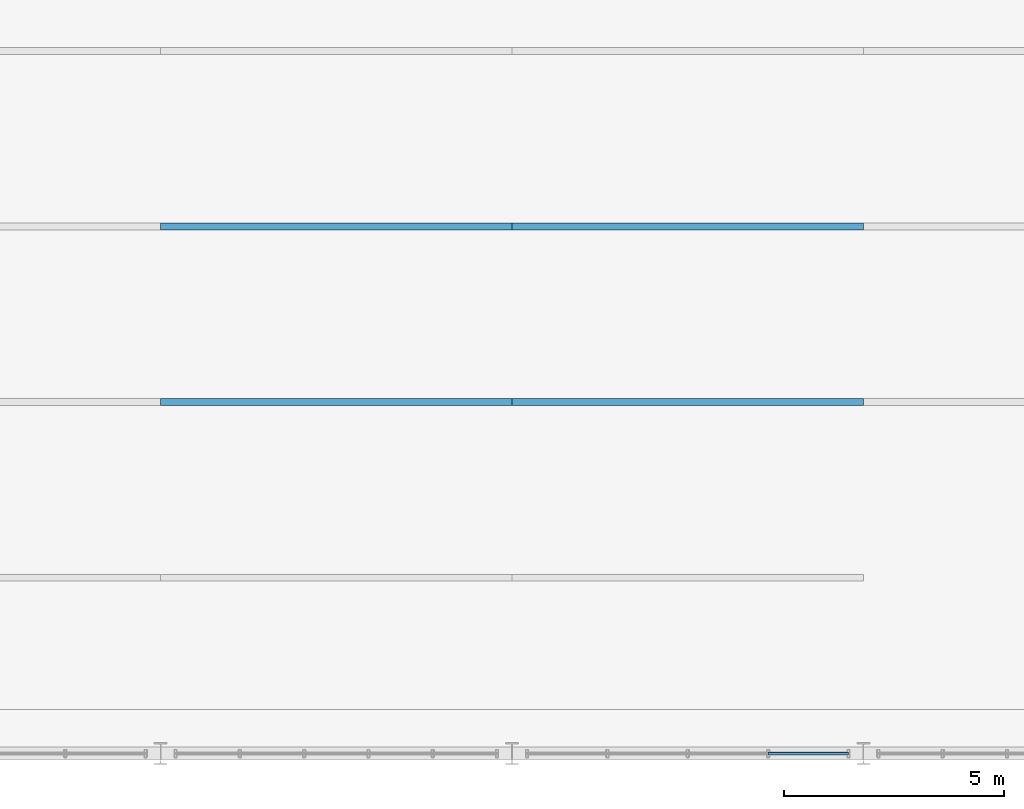
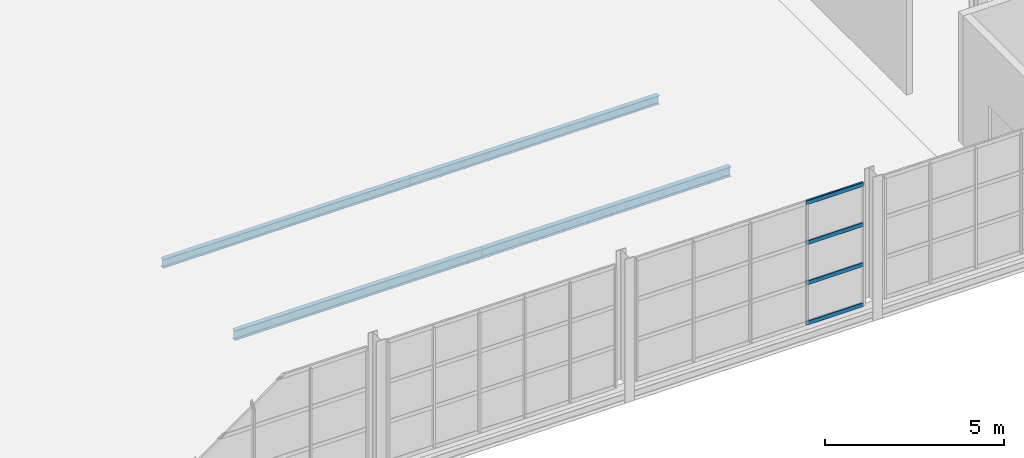
# One storey, part 105 of 153: 4 beams, 4 members, 1 element without a shape of its own.
"""IFC4 building model written with IfcOpenShell, lengths in metres."""

import ifcopenshell
import ifcopenshell.guid

model = None  # the IFC model being written
_history = None  # IfcOwnerHistory: only IFC2X3 demands one
_inside = {}  # id of a spatial element -> (the spatial element, [elements in it])
_under = {}  # id of a project, library or spatial element -> (it, [spatial elements below it])
_declared = {}  # id of a project -> (the project, [libraries it declares])
_typed = {}  # id of a type object -> (the type object, [elements of that type])
_made_of = {}  # id of a material, layer set ... -> (it, [elements and type objects made of it])


def new_model(schema):
    """Start an empty IFC model of exactly this schema.

    Asked for "IFC4X3", IfcOpenShell would pick the latest addendum, in which some entities
    have other attributes; the version numbers below select the first issue.
    IFC2X3 requires an IfcOwnerHistory on every rooted entity: one is made here for all.
    """
    global model, _history
    if schema == "IFC4X3":
        model = ifcopenshell.file(schema_version=(4, 3, 0, 0))
    else:
        model = ifcopenshell.file(schema=schema)
    _inside.clear()
    _under.clear()
    _declared.clear()
    _typed.clear()
    _made_of.clear()
    _history = None
    if model.schema == "IFC2X3":
        org = make("IfcOrganization", Name="unknown")
        user = make(
            "IfcPersonAndOrganization",
            ThePerson=make("IfcPerson", FamilyName="unknown"),
            TheOrganization=org,
        )
        app = make(
            "IfcApplication",
            ApplicationDeveloper=org,
            Version="unknown",
            ApplicationFullName="unknown",
            ApplicationIdentifier="unknown",
        )
        _history = make(
            "IfcOwnerHistory",
            OwningUser=user,
            OwningApplication=app,
            ChangeAction="ADDED",
            CreationDate=0,
        )
    return model


def make(cls, **values):
    """One entity of the class cls with the attributes given. An attribute that is None is left unset."""
    return model.create_entity(
        cls, **{name: value for name, value in values.items() if value is not None}
    )


def rooted(cls, **values):
    """An entity with a GlobalId (a new one), such as an element, a storey or a relation."""
    return make(cls, GlobalId=ifcopenshell.guid.new(), OwnerHistory=_history, **values)


def si_unit(unit_type, name, prefix=None):
    """IfcSIUnit, for example si_unit("LENGTHUNIT", "METRE", prefix="MILLI")."""
    return make("IfcSIUnit", UnitType=unit_type, Prefix=prefix, Name=name)


def derived_unit(unit_type, elements):
    """IfcDerivedUnit: a product of units, each with its exponent."""
    return make(
        "IfcDerivedUnit",
        Elements=[
            make("IfcDerivedUnitElement", Unit=unit, Exponent=power)
            for unit, power in elements
        ],
        UnitType=unit_type,
    )


def assignment(units):
    """IfcUnitAssignment: the units of a project."""
    return None if units is None else make("IfcUnitAssignment", Units=units)


def point(xyz):
    """IfcCartesianPoint."""
    return None if xyz is None else make("IfcCartesianPoint", Coordinates=xyz)


def direction(xyz):
    """IfcDirection."""
    return None if xyz is None else make("IfcDirection", DirectionRatios=xyz)


def frame(location, z_axis=None, x_axis=None):
    """IfcAxis2Placement3D, a coordinate frame: its origin and axes. An axis left out is left unset."""
    return make(
        "IfcAxis2Placement3D",
        Location=point(location),
        Axis=direction(z_axis),
        RefDirection=direction(x_axis),
    )


def frame_2d(location, x_axis=None):
    """IfcAxis2Placement2D, a coordinate frame in the plane: its origin and x axis."""
    return make(
        "IfcAxis2Placement2D", Location=point(location), RefDirection=direction(x_axis)
    )


def origin():
    """The frame at (0, 0, 0) with its axes left unset."""
    return frame((0.0, 0.0, 0.0))


def origin_2d():
    """The frame at (0, 0) in the plane with its x axis left unset."""
    return frame_2d((0.0, 0.0))


def place(relative_to, where):
    """IfcLocalPlacement: puts the frame where relative to a parent placement (None: the world)."""
    return make(
        "IfcLocalPlacement", PlacementRelTo=relative_to, RelativePlacement=where
    )


def context(
    kind, dimensions, precision=None, world=None, true_north=None, identifier=None
):
    """IfcGeometricRepresentationContext, for example the 3D "Model" context."""
    return make(
        "IfcGeometricRepresentationContext",
        ContextIdentifier=identifier,
        ContextType=kind,
        CoordinateSpaceDimension=dimensions,
        Precision=precision,
        WorldCoordinateSystem=world,
        TrueNorth=true_north,
    )


def subcontext(parent, identifier, kind, view, scale=None):
    """IfcGeometricRepresentationSubContext, for example "Body" below "Model"."""
    return make(
        "IfcGeometricRepresentationSubContext",
        ContextIdentifier=identifier,
        ContextType=kind,
        ParentContext=parent,
        TargetScale=scale,
        TargetView=view,
    )


def project(units=None, contexts=None):
    """IfcProject with its units and contexts."""
    return rooted(
        "IfcProject",
        Name="project",
        RepresentationContexts=contexts,
        UnitsInContext=assignment(units),
    )


def spatial(cls, under=None, at=None, **own):
    """A site, building, storey or space (cls), placed at a placement, below another one or the project."""
    s = rooted(cls, ObjectPlacement=at, **own)
    if under is not None:
        _under.setdefault(under.id(), (under, []))[1].append(s)
    return s


def profile(cls, at=None, kind="AREA", **sizes):
    """A parametric profile (cls). Its sizes go by their IFC names, for example OverallWidth=200.0."""
    return make(cls, ProfileType=kind, Position=at, **sizes)


def hollow_rectangle(**sizes):
    """IfcRectangleHollowProfileDef."""
    return profile("IfcRectangleHollowProfileDef", **sizes)


def i_section(**sizes):
    """IfcIShapeProfileDef."""
    return profile("IfcIShapeProfileDef", **sizes)


def extrude(swept, where, along, depth):
    """IfcExtrudedAreaSolid: the profile swept, set in the frame where, extruded along a direction by depth."""
    return make(
        "IfcExtrudedAreaSolid",
        SweptArea=swept,
        Position=where,
        ExtrudedDirection=direction(along),
        Depth=depth,
    )


def shape(context_of_items, identifier, shape_type, items):
    """IfcShapeRepresentation: the items that make up one representation, for example the "Body"."""
    return make(
        "IfcShapeRepresentation",
        ContextOfItems=context_of_items,
        RepresentationIdentifier=identifier,
        RepresentationType=shape_type,
        Items=items,
    )


def material(Name=None, Category=None):
    """IfcMaterial."""
    return make("IfcMaterial", Name=Name, Category=Category)


def material_profile(
    of_material, cross_section, Name=None, Category=None, Priority=None
):
    """IfcMaterialProfile: a cross section and its material."""
    return make(
        "IfcMaterialProfile",
        Name=Name,
        Material=of_material,
        Profile=cross_section,
        Priority=Priority,
        Category=Category,
    )


def profile_set(profiles, Name=None, composite=None):
    """IfcMaterialProfileSet."""
    return make(
        "IfcMaterialProfileSet",
        Name=Name,
        MaterialProfiles=profiles,
        CompositeProfile=composite,
    )


def made_of(thing, what):
    """Note that an element or type object is made of a material, layer set ...; save() writes the relation."""
    if what is not None:
        _made_of.setdefault(what.id(), (what, []))[1].append(thing)
    return thing


def type_object(cls, material=None, **own):
    """A type object (cls), such as IfcWallType, which elements share."""
    return made_of(rooted(cls, **own), material)


def element(
    cls,
    number,
    at=None,
    inside=None,
    cuts=None,
    type_object=None,
    material=None,
    context=None,
    identifier="Body",
    shape_type=None,
    held_by="IfcProductDefinitionShape",
    body=None,
    shapes=None,
    **own,
):
    """One element of the class cls, such as IfcWall. Its Tag is "e" and its number.

    at: its placement. inside: the storey or other place that contains it. cuts: it is an
    opening in that element (IfcRelVoidsElement). A single representation is given by context,
    identifier, shape_type and body (its items); several are given by shapes. held_by: the class
    of the entity that holds the representations. save() writes the other relations.
    """
    e = rooted(cls, Tag="e%d" % number, ObjectPlacement=at, **own)
    if body is not None:
        shapes = [shape(context, identifier, shape_type, body)]
    if shapes is not None:
        e.Representation = make(held_by, Representations=shapes)
    if inside is not None:
        _inside.setdefault(inside.id(), (inside, []))[1].append(e)
    if cuts is not None:
        rooted(
            "IfcRelVoidsElement", RelatingBuildingElement=cuts, RelatedOpeningElement=e
        )
    if type_object is not None:
        _typed.setdefault(type_object.id(), (type_object, []))[1].append(e)
    return made_of(e, material)


def aggregate(whole, parts):
    """IfcRelAggregates: a whole, such as a stair, and the parts it consists of."""
    return rooted("IfcRelAggregates", RelatingObject=whole, RelatedObjects=parts)


def save(model, path):
    """Write the relations noted so far, then the file.

    IfcRelAggregates (storeys below a building ...), IfcRelContainedInSpatialStructure (elements
    in a storey), IfcRelDefinesByType, IfcRelAssociatesMaterial and IfcRelDeclares: one each for
    every whole, place, type object, material and project.
    """
    for whole, parts in _under.values():
        aggregate(whole, parts)
    for where, things in _inside.values():
        rooted(
            "IfcRelContainedInSpatialStructure",
            RelatedElements=things,
            RelatingStructure=where,
        )
    for kind, things in _typed.values():
        rooted("IfcRelDefinesByType", RelatedObjects=things, RelatingType=kind)
    for what, things in _made_of.values():
        rooted("IfcRelAssociatesMaterial", RelatedObjects=things, RelatingMaterial=what)
    for by, libraries in _declared.values():
        rooted("IfcRelDeclares", RelatingContext=by, RelatedDefinitions=libraries)
    model.write(path)


model = new_model("IFC4")

# Units and contexts
model_context = context("Model", 3, precision=1e-05, world=origin(), true_north=direction((0.0, 1.0)))
body_context = subcontext(model_context, "Body", "Model", "MODEL_VIEW")
ifc_project = project(units=[si_unit("LENGTHUNIT", "METRE"), si_unit("AREAUNIT", "SQUARE_METRE"), si_unit("VOLUMEUNIT", "CUBIC_METRE"), si_unit("PLANEANGLEUNIT", "RADIAN"), si_unit("MASSUNIT", "GRAM", prefix="KILO"), derived_unit("THERMALTRANSMITTANCEUNIT", [(si_unit("POWERUNIT", "WATT"), 1), (si_unit("LENGTHUNIT", "METRE"), -2), (si_unit("THERMODYNAMICTEMPERATUREUNIT", "KELVIN"), -1)])], contexts=[model_context])

# Site, building, storey
site_placement = place(None, origin())
site = spatial("IfcSite", under=ifc_project, at=site_placement, CompositionType="ELEMENT")
building_placement = place(site_placement, origin())
building = spatial("IfcBuilding", under=site, at=building_placement, Name="Keldorne Ridge Multi-Sports Centre", CompositionType="ELEMENT")
storey_placement = place(building_placement, frame((0.0, 0.0, 9.60009765625)))
storey = spatial("IfcBuildingStorey", under=building, at=storey_placement, Name="L02", CompositionType="ELEMENT", Elevation=9.60009765625)

# Beams
ifc_material_1 = material(Name="Steel S355", Category="steel")
ifc_material_profile_1 = material_profile(ifc_material_1, i_section(OverallWidth=0.159912109375, OverallDepth=0.330078125, WebThickness=0.007568359375, FlangeThickness=0.011474609375, FilletRadius=0.01806640625, at=origin_2d()), Name="IPE 330")
ifc_profile_set_1 = profile_set([ifc_material_profile_1], Name="Steel S355")
beam_type_1 = type_object("IfcBeamType", Name="BM-J-01", PredefinedType="JOIST", material=ifc_profile_set_1)
for number, where, z_axis, x_axis, name in (
    (1, (136.0, 14.0, -0.405029296875), (1.0, 0.0, 0.0), (0.0, 1.0, 0.0), "L02 Stacked Courts beam 5.3"),
    (2, (144.0, 14.0, -0.405029296875), (1.0, 0.0, 0.0), (0.0, 1.0, 0.0), "L02 Stacked Courts beam 6.3"),
):
    element("IfcBeam", number, at=place(storey_placement, frame(where, z_axis=z_axis, x_axis=x_axis)), inside=storey, type_object=beam_type_1, Name=name, PredefinedType="JOIST", context=body_context, shape_type="SweptSolid", body=[
        extrude(i_section(OverallWidth=0.159912109375, OverallDepth=0.330078125, WebThickness=0.007568359375, FlangeThickness=0.011474609375, FilletRadius=0.01806640625, at=origin_2d()), origin(), (0.0, 0.0, 1.0), 8.0),
    ])
ifc_material_profile_2 = material_profile(ifc_material_1, i_section(OverallWidth=0.14990234375, OverallDepth=0.300048828125, WebThickness=0.007080078125, FlangeThickness=0.0107421875, FilletRadius=0.014892578125, at=origin_2d()), Name="IPE 300")
ifc_profile_set_2 = profile_set([ifc_material_profile_2], Name="Steel S355")
beam_type_2 = type_object("IfcBeamType", Name="BM-J-02", PredefinedType="JOIST", material=ifc_profile_set_2)
for number, where, z_axis, x_axis, name in (
    (3, (136.0, 18.0, -0.39013671875), (1.0, 0.0, 0.0), (0.0, 1.0, 0.0), "L02 Stacked Courts beam 5.4"),
    (4, (144.0, 18.0, -0.39013671875), (1.0, 0.0, 0.0), (0.0, 1.0, 0.0), "L02 Stacked Courts beam 6.4"),
):
    element("IfcBeam", number, at=place(storey_placement, frame(where, z_axis=z_axis, x_axis=x_axis)), inside=storey, type_object=beam_type_2, Name=name, PredefinedType="JOIST", context=body_context, shape_type="SweptSolid", body=[
        extrude(i_section(OverallWidth=0.14990234375, OverallDepth=0.300048828125, WebThickness=0.007080078125, FlangeThickness=0.0107421875, FilletRadius=0.014892578125, at=origin_2d()), origin(), (0.0, 0.0, 1.0), 8.0),
    ])

# Curtain wall, members
ifc_material_2 = material(Name="Anodized aluminium", Category="aluminium")
curtain_wall_type = type_object("IfcCurtainWallType", Name="CW-CW-08", PredefinedType="NOTDEFINED", material=ifc_material_2)
curtain_wall_placement = place(storey_placement, origin())
curtain_wall = element("IfcCurtainWall", 5, at=curtain_wall_placement, inside=storey, type_object=curtain_wall_type, Name="Upper Courts south curtain wall 120", PredefinedType="NOTDEFINED")
ifc_material_profile_3 = material_profile(ifc_material_2, hollow_rectangle(XDim=0.06494140625, YDim=0.139892578125, WallThickness=0.00439453125, InnerFilletRadius=0.00439453125, OuterFilletRadius=0.009033203125, at=origin_2d()), Name="ALU TRANSOM 140x65x4.5")
ifc_profile_set_3 = profile_set([ifc_material_profile_3], Name="Anodized aluminium")
member_type = type_object("IfcMemberType", Name="MEM-TR-01", PredefinedType="USERDEFINED", material=ifc_profile_set_3)
member_1_placement = place(storey_placement, frame((149.830078125, 6.0, 0.0), z_axis=(1.0, 0.0, 0.0), x_axis=(0.0, 1.0, 0.0)))
member_1 = element("IfcMember", 6, at=member_1_placement, type_object=member_type, Name="CW-120 transom 4.1", ObjectType="TRANSOM", PredefinedType="USERDEFINED", context=body_context, shape_type="SweptSolid", body=[
    extrude(hollow_rectangle(XDim=0.06494140625, YDim=0.139892578125, WallThickness=0.00439453125, InnerFilletRadius=0.00439453125, OuterFilletRadius=0.009033203125, at=origin_2d()), origin(), (0.0, 0.0, 1.0), 1.829833984375),
])
member_2_placement = place(storey_placement, frame((149.830078125, 6.0, 1.36669921875), z_axis=(1.0, 0.0, 0.0), x_axis=(0.0, 1.0, 0.0)))
member_2 = element("IfcMember", 7, at=member_2_placement, type_object=member_type, Name="CW-120 transom 4.2", ObjectType="TRANSOM", PredefinedType="USERDEFINED", context=body_context, shape_type="SweptSolid", body=[
    extrude(hollow_rectangle(XDim=0.06494140625, YDim=0.139892578125, WallThickness=0.00439453125, InnerFilletRadius=0.00439453125, OuterFilletRadius=0.009033203125, at=origin_2d()), origin(), (0.0, 0.0, 1.0), 1.829833984375),
])
member_3_placement = place(storey_placement, frame((149.830078125, 6.0, 2.733154296875), z_axis=(1.0, 0.0, 0.0), x_axis=(0.0, 1.0, 0.0)))
member_3 = element("IfcMember", 8, at=member_3_placement, type_object=member_type, Name="CW-120 transom 4.3", ObjectType="TRANSOM", PredefinedType="USERDEFINED", context=body_context, shape_type="SweptSolid", body=[
    extrude(hollow_rectangle(XDim=0.06494140625, YDim=0.139892578125, WallThickness=0.00439453125, InnerFilletRadius=0.00439453125, OuterFilletRadius=0.009033203125, at=origin_2d()), origin(), (0.0, 0.0, 1.0), 1.829833984375),
])
member_4_placement = place(storey_placement, frame((149.830078125, 6.0, 4.099853515625), z_axis=(1.0, 0.0, 0.0), x_axis=(0.0, 1.0, 0.0)))
member_4 = element("IfcMember", 9, at=member_4_placement, type_object=member_type, Name="CW-120 transom 4.4", ObjectType="TRANSOM", PredefinedType="USERDEFINED", context=body_context, shape_type="SweptSolid", body=[
    extrude(hollow_rectangle(XDim=0.06494140625, YDim=0.139892578125, WallThickness=0.00439453125, InnerFilletRadius=0.00439453125, OuterFilletRadius=0.009033203125, at=origin_2d()), origin(), (0.0, 0.0, 1.0), 1.829833984375),
])
aggregate(curtain_wall, [member_1, member_2, member_3, member_4])

save(model, "model.ifc")
